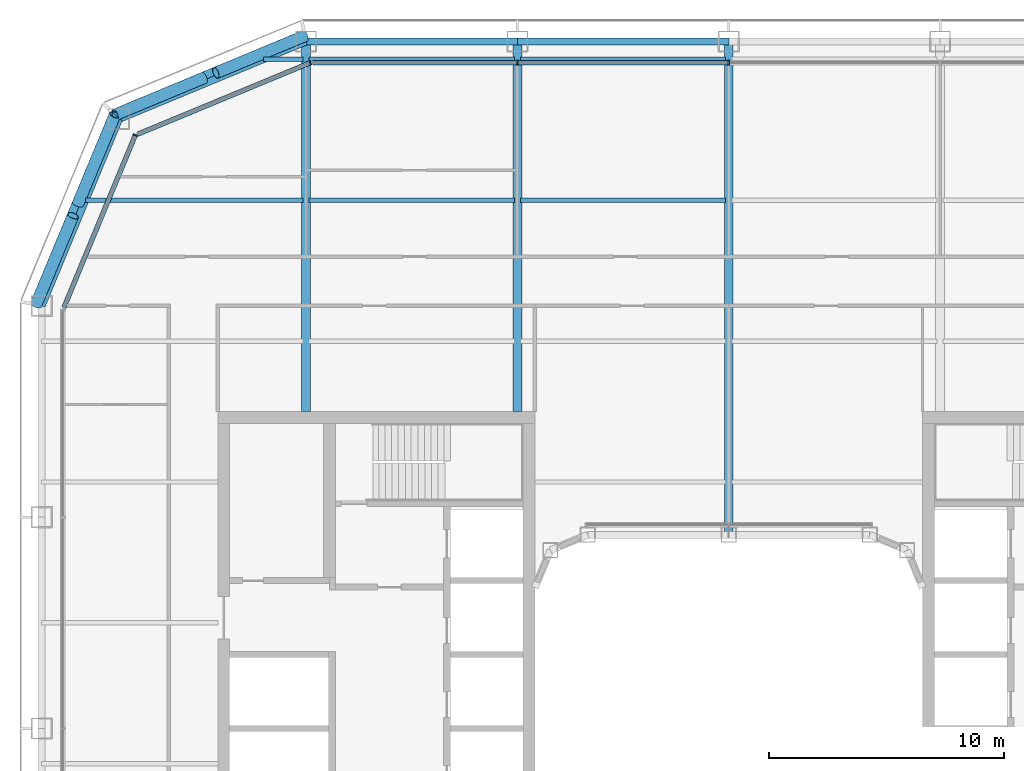
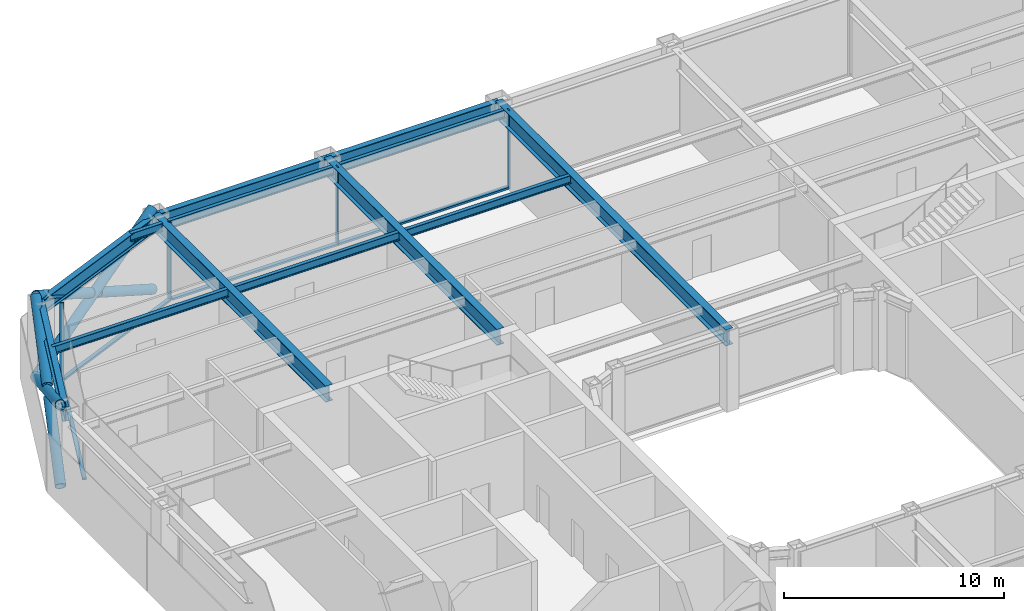
# One storey, part 7 of 21: 14 members, 13 beams, 3 elements without a shape of their own.
"""IFC4 building model written with IfcOpenShell, lengths in metres."""

from ifc_helpers import new_model, si_unit, direction, frame, origin, origin_2d, place, context, subcontext, project, spatial, rectangle, hollow_circle, i_section, extrude, material, layer, layer_set, material_profile, profile_set, type_object, element, aggregate, save


model = new_model("IFC4")

# Units and contexts
model_context = context("Model", 3, precision=1e-05, world=origin(), true_north=direction((0.0, 1.0)))
body_context = subcontext(model_context, "Body", "Model", "MODEL_VIEW")
ifc_project = project(units=[si_unit("LENGTHUNIT", "METRE"), si_unit("AREAUNIT", "SQUARE_METRE"), si_unit("VOLUMEUNIT", "CUBIC_METRE"), si_unit("PLANEANGLEUNIT", "RADIAN"), si_unit("MASSUNIT", "GRAM", prefix="KILO")], contexts=[model_context])

# Site, building, storey
site_placement = place(None, origin())
site = spatial("IfcSite", under=ifc_project, at=site_placement, CompositionType="ELEMENT")
building_placement = place(site_placement, origin())
building = spatial("IfcBuilding", under=site, at=building_placement, Name="Siwar Civic Tower", CompositionType="ELEMENT")
storey_placement = place(building_placement, frame((0.0, 0.0, 158.699951171875)))
storey = spatial("IfcBuildingStorey", under=building, at=storey_placement, Name="L34", CompositionType="ELEMENT", Elevation=158.699951171875)

# Curtain wall, members
ifc_material_1 = material(Name="Aluminium and glass", Category="aluminium")
ifc_layer_1 = layer(ifc_material_1, 0.199951171875)
ifc_layer_set_1 = layer_set([ifc_layer_1], Name="Aluminium and glass")
curtain_wall_type_1 = type_object("IfcCurtainWallType", Name="ENV-CW-B", PredefinedType="NOTDEFINED", material=ifc_layer_set_1)
curtain_wall_1_placement = place(storey_placement, origin())
curtain_wall_1 = element("IfcCurtainWall", 1, at=curtain_wall_1_placement, inside=storey, type_object=curtain_wall_type_1, Name="Curtain wall B N", PredefinedType="NOTDEFINED")
ifc_material_2 = material(Name="Aluminium 6063-T6", Category="aluminium")
ifc_material_profile_1 = material_profile(ifc_material_2, rectangle(XDim=0.199951171875, YDim=0.06494140625, at=origin_2d()), Name="AL 200x65")
ifc_profile_set_1 = profile_set([ifc_material_profile_1], Name="Aluminium 6063-T6")
member_type_1 = type_object("IfcMemberType", Name="ENV-MULLION-B", PredefinedType="MULLION", material=ifc_profile_set_1)
member_1_placement = place(storey_placement, frame((0.0, 28.35009765625, 0.0), z_axis=(0.0, 0.0, 1.0), x_axis=(0.0, -1.0, 0.0)))
member_1 = element("IfcMember", 2, at=member_1_placement, type_object=member_type_1, Name="Mullion B N 3", PredefinedType="MULLION", context=body_context, shape_type="SweptSolid", body=[
    extrude(rectangle(XDim=0.199951171875, YDim=0.06494140625, at=origin_2d()), origin(), (0.0, 0.0, 1.0), 4.35009765625),
])
member_2_placement = place(storey_placement, frame((-9.0, 28.35009765625, 0.0), z_axis=(0.0, 0.0, 1.0), x_axis=(0.0, -1.0, 0.0)))
member_2 = element("IfcMember", 3, at=member_2_placement, type_object=member_type_1, Name="Mullion B N 4", PredefinedType="MULLION", context=body_context, shape_type="SweptSolid", body=[
    extrude(rectangle(XDim=0.199951171875, YDim=0.06494140625, at=origin_2d()), origin(), (0.0, 0.0, 1.0), 4.35009765625),
])

# Curtain wall, member
ifc_material_3 = material(Name="Aluminium clad insulated panel", Category="aluminium")
ifc_layer_2 = layer(ifc_material_3, 0.199951171875)
ifc_layer_set_2 = layer_set([ifc_layer_2], Name="Aluminium clad insulated panel")
curtain_wall_type_2 = type_object("IfcCurtainWallType", Name="ENV-CW-BX", PredefinedType="NOTDEFINED", material=ifc_layer_set_2)
curtain_wall_2_placement = place(storey_placement, origin())
curtain_wall_2 = element("IfcCurtainWall", 4, at=curtain_wall_2_placement, inside=storey, type_object=curtain_wall_type_2, Name="Curtain wall B NW1", PredefinedType="NOTDEFINED")
member_3_placement = place(storey_placement, frame((-17.821044921875, 28.35009765625, 0.0), z_axis=(0.0, 0.0, 1.0), x_axis=(0.382683432365, -0.923879532511, 0.0)))
member_3 = element("IfcMember", 5, at=member_3_placement, type_object=member_type_1, Name="Mullion B NW1 1", PredefinedType="MULLION", context=body_context, shape_type="SweptSolid", body=[
    extrude(rectangle(XDim=0.199951171875, YDim=0.06494140625, at=origin_2d()), origin(), (0.0, 0.0, 1.0), 4.35009765625),
])

curtain_wall_3_placement = place(storey_placement, origin())
curtain_wall_3 = element("IfcCurtainWall", 6, at=curtain_wall_3_placement, inside=storey, type_object=curtain_wall_type_2, Name="Curtain wall B NW2", PredefinedType="NOTDEFINED")
member_4_placement = place(storey_placement, frame((-25.26611328125, 25.26611328125, 0.0), z_axis=(0.0, 0.0, 1.0), x_axis=(0.923879532511, -0.382683432365, 0.0)))
member_4 = element("IfcMember", 7, at=member_4_placement, type_object=member_type_1, Name="Mullion B NW2 1", PredefinedType="MULLION", context=body_context, shape_type="SweptSolid", body=[
    extrude(rectangle(XDim=0.199951171875, YDim=0.06494140625, at=origin_2d()), origin(), (0.0, 0.0, 1.0), 4.35009765625),
])

# Member
ifc_material_4 = material(Name="Aluminium 6063-T6", Category="aluminium")
ifc_material_profile_2 = material_profile(ifc_material_4, rectangle(XDim=0.199951171875, YDim=0.110107421875, at=origin_2d()), Name="AL 200x110")
ifc_profile_set_2 = profile_set([ifc_material_profile_2], Name="Aluminium 6063-T6")
member_type_2 = type_object("IfcMemberType", Name="ENV-TRANSOM-B", PredefinedType="USERDEFINED", material=ifc_profile_set_2)
member_5_placement = place(storey_placement, frame((-0.032470703125, 28.35009765625, 0.054931640625), z_axis=(-1.0, 0.0, 0.0), x_axis=(0.0, -1.0, 0.0)))
member_5 = element("IfcMember", 8, at=member_5_placement, type_object=member_type_2, Name="Transom B N 3", ObjectType="TRANSOM", PredefinedType="USERDEFINED", context=body_context, shape_type="SweptSolid", body=[
    extrude(rectangle(XDim=0.199951171875, YDim=0.110107421875, at=origin_2d()), origin(), (0.0, 0.0, 1.0), 8.93505859375),
])

member_6_placement = place(storey_placement, frame((-9.032470703125, 28.35009765625, 0.054931640625), z_axis=(-1.0, 0.0, 0.0), x_axis=(0.0, -1.0, 0.0)))
member_6 = element("IfcMember", 9, at=member_6_placement, type_object=member_type_2, Name="Transom B N 4", ObjectType="TRANSOM", PredefinedType="USERDEFINED", context=body_context, shape_type="SweptSolid", body=[
    extrude(rectangle(XDim=0.199951171875, YDim=0.110107421875, at=origin_2d()), origin(), (0.0, 0.0, 1.0), 8.6748046875),
])

aggregate(curtain_wall_1, [member_1, member_2, member_5, member_6])

member_7_placement = place(storey_placement, frame((-17.85107421875, 28.337646484375, 0.054931640625), z_axis=(-0.92387279587, -0.382699695651, 0.0), x_axis=(0.382699695651, -0.92387279587, 0.0)))
member_7 = element("IfcMember", 10, at=member_7_placement, type_object=member_type_2, Name="Transom B NW1 1", ObjectType="TRANSOM", PredefinedType="USERDEFINED", context=body_context, shape_type="SweptSolid", body=[
    extrude(rectangle(XDim=0.199951171875, YDim=0.110107421875, at=origin_2d()), origin(), (0.0, 0.0, 1.0), 7.912353515625),
])

aggregate(curtain_wall_2, [member_3, member_7])

member_8_placement = place(storey_placement, frame((-25.278564453125, 25.236083984375, 0.054931640625), z_axis=(-0.382673358825, -0.923883705044, 0.0), x_axis=(0.923883705044, -0.382673358825, 0.0)))
member_8 = element("IfcMember", 11, at=member_8_placement, type_object=member_type_2, Name="Transom B NW2 1", ObjectType="TRANSOM", PredefinedType="USERDEFINED", context=body_context, shape_type="SweptSolid", body=[
    extrude(rectangle(XDim=0.199951171875, YDim=0.110107421875, at=origin_2d()), origin(), (0.0, 0.0, 1.0), 7.912353515625),
])

aggregate(curtain_wall_3, [member_4, member_8])

# Members
ifc_material_5 = material(Name="Steel S355", Category="steel")
ifc_material_profile_3 = material_profile(ifc_material_5, hollow_circle(Radius=0.25390625, WallThickness=0.02490234375, at=origin_2d()), Name="CHS508x25")
ifc_profile_set_3 = profile_set([ifc_material_profile_3], Name="Steel S355")
member_type_3 = type_object("IfcMemberType", Name="STR-BR-CHS508x25", PredefinedType="BRACE", material=ifc_profile_set_3)
member_9_placement = place(storey_placement, frame((-26.1318359375, 26.1318359375, 0.0), z_axis=(-0.341671493852, -0.821142553604, 0.457149315816), x_axis=(0.923264922524, -0.384163874976, 0.0)))
element("IfcMember", 12, at=member_9_placement, inside=storey, type_object=member_type_3, Name="L34/brc/BNW1-13-0-1", PredefinedType="BRACE", context=body_context, shape_type="SweptSolid", body=[
    extrude(hollow_circle(Radius=0.25390625, WallThickness=0.02490234375, at=origin_2d()), origin(), (0.0, 0.0, 1.0), 9.843505859375),
])
for number, where, z_axis, x_axis, name in (
    (13, (-29.4951171875, 18.048828125, 0.0), (0.341677318012, 0.821126041429, 0.457174621391), (-0.923259859753, 0.384176042158, 0.0), "L34/brc/BNW1-13-0-2"),
    (14, (-27.70849609375, 22.342529296875, 2.390625), (0.341670737976, 0.821163134736, 0.457112910516), (-0.923268638995, 0.384154943021, 0.0), "L34/brc/BNW1-13-0-3"),
):
    element("IfcMember", number, at=place(storey_placement, frame(where, z_axis=z_axis, x_axis=x_axis)), inside=storey, type_object=member_type_3, Name=name, PredefinedType="BRACE", context=body_context, shape_type="SweptSolid", body=[
        extrude(hollow_circle(Radius=0.25390625, WallThickness=0.02490234375, at=origin_2d()), origin(), (0.0, 0.0, 1.0), 4.614501953125),
    ])
member_10_placement = place(storey_placement, frame((-26.1318359375, 26.1318359375, 0.0), z_axis=(0.821142553604, 0.341671493852, 0.457149315816), x_axis=(-0.384163874976, 0.923264922524, 0.0)))
element("IfcMember", 15, at=member_10_placement, inside=storey, type_object=member_type_3, Name="L34/brc/BNW1-13-0-0", PredefinedType="BRACE", context=body_context, shape_type="SweptSolid", body=[
    extrude(hollow_circle(Radius=0.25390625, WallThickness=0.02490234375, at=origin_2d()), origin(), (0.0, 0.0, 1.0), 9.843505859375),
])
for number, where, z_axis, x_axis, name in (
    (16, (-18.048828125, 29.4951171875, 0.0), (-0.821126041429, -0.341677318012, 0.457174621391), (0.384176042158, -0.923259859753, 0.0), "L34/brc/BNW1-13-0-4"),
    (17, (-22.342529296875, 27.70849609375, 2.390625), (-0.821163134736, -0.341670737976, 0.457112910516), (0.384154943021, -0.923268638995, 0.0), "L34/brc/BNW1-13-0-5"),
):
    element("IfcMember", number, at=place(storey_placement, frame(where, z_axis=z_axis, x_axis=x_axis)), inside=storey, type_object=member_type_3, Name=name, PredefinedType="BRACE", context=body_context, shape_type="SweptSolid", body=[
        extrude(hollow_circle(Radius=0.25390625, WallThickness=0.02490234375, at=origin_2d()), origin(), (0.0, 0.0, 1.0), 4.614501953125),
    ])

# Beams
ifc_material_6 = material(Name="Steel S355", Category="steel")
ifc_material_profile_4 = material_profile(ifc_material_6, i_section(OverallWidth=0.18994140625, OverallDepth=0.449951171875, WebThickness=0.009521484375, FlangeThickness=0.0146484375, FilletRadius=0.02099609375, at=origin_2d()), Name="IPE450")
ifc_profile_set_4 = profile_set([ifc_material_profile_4], Name="Steel S355")
beam_type_1 = type_object("IfcBeamType", Name="STR-FB-IPE450", PredefinedType="JOIST", material=ifc_profile_set_4)
beam_1_placement = place(storey_placement, frame((-27.385986328125, 22.5, 4.125), z_axis=(1.0, 0.0, 0.0), x_axis=(0.0, 1.0, 0.0)))
element("IfcBeam", 18, at=beam_1_placement, inside=storey, type_object=beam_type_1, Name="L34/bm/F037", PredefinedType="JOIST", context=body_context, shape_type="SweptSolid", body=[
    extrude(i_section(OverallWidth=0.18994140625, OverallDepth=0.449951171875, WebThickness=0.009521484375, FlangeThickness=0.0146484375, FilletRadius=0.02099609375, at=origin_2d()), origin(), (0.0, 0.0, 1.0), 9.256103515625),
])
for number, where, z_axis, x_axis, name in (
    (19, (-17.8701171875, 22.5, 4.125), (1.0, 0.0, 0.0), (0.0, 1.0, 0.0), "L34/bm/F038"),
    (20, (-8.8701171875, 22.5, 4.125), (1.0, 0.0, 0.0), (0.0, 1.0, 0.0), "L34/bm/F039"),
):
    element("IfcBeam", number, at=place(storey_placement, frame(where, z_axis=z_axis, x_axis=x_axis)), inside=storey, type_object=beam_type_1, Name=name, PredefinedType="JOIST", context=body_context, shape_type="SweptSolid", body=[
        extrude(i_section(OverallWidth=0.18994140625, OverallDepth=0.449951171875, WebThickness=0.009521484375, FlangeThickness=0.0146484375, FilletRadius=0.02099609375, at=origin_2d()), origin(), (0.0, 0.0, 1.0), 8.740234375),
    ])
beam_2_placement = place(storey_placement, frame((-19.810546875, 28.5, 4.125), z_axis=(1.0, 0.0, 0.0), x_axis=(0.0, 1.0, 0.0)))
element("IfcBeam", 21, at=beam_2_placement, inside=storey, type_object=beam_type_1, Name="L34/bm/F043", PredefinedType="JOIST", context=body_context, shape_type="SweptSolid", body=[
    extrude(i_section(OverallWidth=0.18994140625, OverallDepth=0.449951171875, WebThickness=0.009521484375, FlangeThickness=0.0146484375, FilletRadius=0.02099609375, at=origin_2d()), origin(), (0.0, 0.0, 1.0), 1.6806640625),
])
for number, where, z_axis, x_axis, name in (
    (22, (-17.8701171875, 28.5, 4.125), (1.0, 0.0, 0.0), (0.0, 1.0, 0.0), "L34/bm/F044"),
    (23, (-8.8701171875, 28.5, 4.125), (1.0, 0.0, 0.0), (0.0, 1.0, 0.0), "L34/bm/F045"),
):
    element("IfcBeam", number, at=place(storey_placement, frame(where, z_axis=z_axis, x_axis=x_axis)), inside=storey, type_object=beam_type_1, Name=name, PredefinedType="JOIST", context=body_context, shape_type="SweptSolid", body=[
        extrude(i_section(OverallWidth=0.18994140625, OverallDepth=0.449951171875, WebThickness=0.009521484375, FlangeThickness=0.0146484375, FilletRadius=0.02099609375, at=origin_2d()), origin(), (0.0, 0.0, 1.0), 8.740234375),
    ])
ifc_material_7 = material(Name="Steel S355", Category="steel")
ifc_material_profile_5 = material_profile(ifc_material_7, i_section(OverallWidth=0.3798828125, OverallDepth=0.89990234375, WebThickness=0.01611328125, FlangeThickness=0.035888671875, at=origin_2d()), Name="PG900x380x16x36")
ifc_profile_set_5 = profile_set([ifc_material_profile_5], Name="Steel S355")
beam_type_2 = type_object("IfcBeamType", Name="STR-PG-PG900x380x16x36", PredefinedType="BEAM", material=ifc_profile_set_5)
for number, where, z_axis, x_axis, name in (
    (24, (-18.0, 13.5, 3.900146484375), (0.0, 1.0, 0.0), (-1.0, 0.0, 0.0), "L34/bm/G02"),
    (25, (-9.0, 13.5, 3.900146484375), (0.0, 1.0, 0.0), (-1.0, 0.0, 0.0), "L34/bm/G04"),
):
    element("IfcBeam", number, at=place(storey_placement, frame(where, z_axis=z_axis, x_axis=x_axis)), inside=storey, type_object=beam_type_2, Name=name, PredefinedType="BEAM", context=body_context, shape_type="SweptSolid", body=[
        extrude(i_section(OverallWidth=0.3798828125, OverallDepth=0.89990234375, WebThickness=0.01611328125, FlangeThickness=0.035888671875, at=origin_2d()), origin(), (0.0, 0.0, 1.0), 15.75),
    ])
beam_3_placement = place(storey_placement, frame((0.0, 8.25, 3.900146484375), z_axis=(0.0, 1.0, 0.0), x_axis=(-1.0, 0.0, 0.0)))
element("IfcBeam", 26, at=beam_3_placement, inside=storey, type_object=beam_type_2, Name="L34/bm/G06", PredefinedType="BEAM", context=body_context, shape_type="SweptSolid", body=[
    extrude(i_section(OverallWidth=0.3798828125, OverallDepth=0.89990234375, WebThickness=0.01611328125, FlangeThickness=0.035888671875, at=origin_2d()), origin(), (0.0, 0.0, 1.0), 21.0),
])
ifc_material_8 = material(Name="Steel S355", Category="steel")
ifc_material_profile_6 = material_profile(ifc_material_8, i_section(OverallWidth=0.300048828125, OverallDepth=0.800048828125, WebThickness=0.017578125, FlangeThickness=0.032958984375, FilletRadius=0.030029296875, at=origin_2d()), Name="HEB800")
ifc_profile_set_6 = profile_set([ifc_material_profile_6], Name="Steel S355")
beam_type_3 = type_object("IfcBeamType", Name="STR-SB-HEB800", PredefinedType="BEAM", material=ifc_profile_set_6)
for number, where, z_axis, x_axis, name in (
    (27, (0.0, 29.25, 3.949951171875), (-1.0, 0.0, 0.0), (0.0, -1.0, 0.0), "L34/bm/SN-2"),
    (28, (-9.0, 29.25, 3.949951171875), (-1.0, 0.0, 0.0), (0.0, -1.0, 0.0), "L34/bm/SN-3"),
):
    element("IfcBeam", number, at=place(storey_placement, frame(where, z_axis=z_axis, x_axis=x_axis)), inside=storey, type_object=beam_type_3, Name=name, PredefinedType="BEAM", context=body_context, shape_type="SweptSolid", body=[
        extrude(i_section(OverallWidth=0.300048828125, OverallDepth=0.800048828125, WebThickness=0.017578125, FlangeThickness=0.032958984375, FilletRadius=0.030029296875, at=origin_2d()), origin(), (0.0, 0.0, 1.0), 9.0),
    ])
for number, where, z_axis, x_axis, name in (
    (29, (-18.0, 29.25, 3.949951171875), (-0.923872720536, -0.382699877515, 0.0), (0.382699877515, -0.923872720536, 0.0), "L34/bm/SNW1-0"),
    (30, (-25.954833984375, 25.954833984375, 3.949951171875), (-0.382699877515, -0.923872720536, 0.0), (0.923872720536, -0.382699877515, 0.0), "L34/bm/SNW2-0"),
):
    element("IfcBeam", number, at=place(storey_placement, frame(where, z_axis=z_axis, x_axis=x_axis)), inside=storey, type_object=beam_type_3, Name=name, PredefinedType="BEAM", context=body_context, shape_type="SweptSolid", body=[
        extrude(i_section(OverallWidth=0.300048828125, OverallDepth=0.800048828125, WebThickness=0.017578125, FlangeThickness=0.032958984375, FilletRadius=0.030029296875, at=origin_2d()), origin(), (0.0, 0.0, 1.0), 8.6103515625),
    ])

save(model, "model.ifc")
